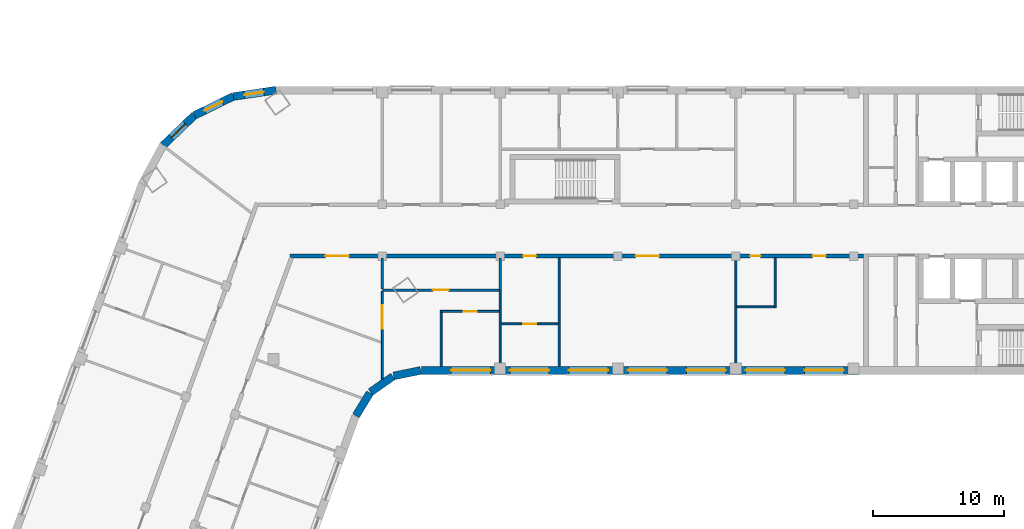
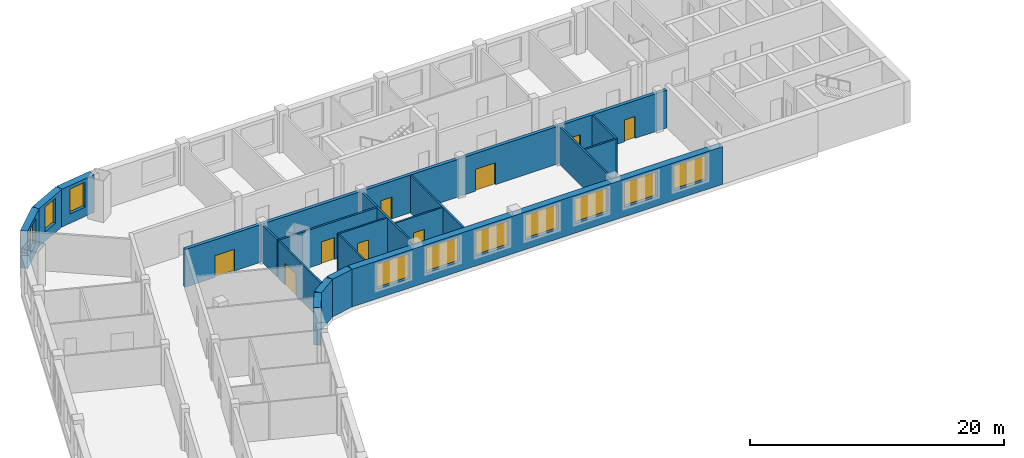
# One storey, part 4 of 10: 20 walls, 10 windows, 9 doors, 19 openings.
"""IFC4 building model written with IfcOpenShell, lengths in metres."""

from ifc_helpers import new_model, si_unit, direction, frame, frame_2d, origin, place, context, subcontext, project, spatial, rectangle, extrude, material, layer, layer_set, type_object, element, fill, save


model = new_model("IFC4")

# Units and contexts
model_context = context("Model", 3, precision=1e-05, world=origin(), true_north=direction((0.0, 1.0)))
body_context = subcontext(model_context, "Body", "Model", "MODEL_VIEW")
ifc_project = project(units=[si_unit("LENGTHUNIT", "METRE"), si_unit("AREAUNIT", "SQUARE_METRE"), si_unit("VOLUMEUNIT", "CUBIC_METRE"), si_unit("PLANEANGLEUNIT", "RADIAN"), si_unit("MASSUNIT", "GRAM", prefix="KILO")], contexts=[model_context])

# Site, building, storey
site_placement = place(None, origin())
site = spatial("IfcSite", under=ifc_project, at=site_placement, CompositionType="ELEMENT")
building_placement = place(site_placement, origin())
building = spatial("IfcBuilding", under=site, at=building_placement, Name="Skarvind Civic Tower", CompositionType="ELEMENT")
storey_placement = place(building_placement, frame((0.0, 0.0, 101.0)))
storey = spatial("IfcBuildingStorey", under=building, at=storey_placement, Name="L23", CompositionType="ELEMENT", Elevation=101.0)

# Wall
ifc_material_1 = material(Name="Acoustic gypsum board on steel studs", Category="steel")
ifc_layer_1 = layer(ifc_material_1, 0.175048828125)
ifc_layer_set_1 = layer_set([ifc_layer_1], Name="ACOUSTIC MEETING-ROOM PARTITION 175")
wall_type_1 = type_object("IfcWallType", Name="ACOUSTIC MEETING-ROOM PARTITION 175", PredefinedType="PARTITIONING", material=ifc_layer_set_1)
wall_1_placement = place(storey_placement, frame((54.25, 123.501953125, 0.0), z_axis=(0.0, 0.0, 1.0), x_axis=(0.0, 1.0, 0.0)))
element("IfcWall", 1, at=wall_1_placement, inside=storey, type_object=wall_type_1, Name="Partition 23.019", PredefinedType="PARTITIONING", context=body_context, shape_type="SweptSolid", body=[
    extrude(rectangle(XDim=2.39794921875, YDim=0.175048828125, at=frame_2d((1.198974609375, 0.0))), origin(), (0.0, 0.0, 1.0), 3.625),
])

# Wall, opening, door
wall_2_placement = place(storey_placement, frame((54.25, 123.429931640625, 0.0), z_axis=(0.0, 0.0, 1.0), x_axis=(1.0, 0.0, 0.0)))
wall_2 = element("IfcWall", 2, at=wall_2_placement, inside=storey, type_object=wall_type_1, Name="Partition 23.020", PredefinedType="PARTITIONING", context=body_context, shape_type="SweptSolid", body=[
    extrude(rectangle(XDim=8.912109375, YDim=0.175048828125, at=frame_2d((4.4560546875, 0.0))), origin(), (0.0, 0.0, 1.0), 3.625),
])
opening_1_placement = place(wall_2_placement, frame((3.865966796875, 0.0, 0.0)))
opening_1 = element("IfcOpeningElement", 3, at=opening_1_placement, cuts=wall_2, Name="Opening L23-D029", PredefinedType="OPENING", context=body_context, shape_type="SweptSolid", body=[
    extrude(rectangle(XDim=1.199951171875, YDim=2.10009765625, at=frame_2d((0.60009765625, 1.050048828125))), frame((0.0, 0.097412109375, 0.0), z_axis=(0.0, -1.0, 0.0), x_axis=(1.0, 0.0, 0.0)), (0.0, 0.0, 1.0), 0.195068359375),
])
ifc_material_2 = material(Name="Timber door leaf", Category="wood")
door_type_1 = type_object("IfcDoorType", Name="DOOR 1200X2100 DOUBLE TIMBER", OperationType="NOTDEFINED", PredefinedType="DOOR", material=ifc_material_2)
door_1_placement = place(opening_1_placement, origin())
door_1 = element("IfcDoor", 4, at=door_1_placement, inside=storey, type_object=door_type_1, Name="Door L23-D029", OperationType="DOUBLE_DOOR_SINGLE_SWING", OverallHeight=2.10009765625, OverallWidth=1.199951171875, PredefinedType="DOOR", context=body_context, shape_type="SweptSolid", body=[
    extrude(rectangle(XDim=1.199951171875, YDim=2.10009765625, at=frame_2d((0.60009765625, 1.050048828125))), frame((0.0, 0.02490234375, 0.0), z_axis=(0.0, -1.0, 0.0), x_axis=(1.0, 0.0, 0.0)), (0.0, 0.0, 1.0), 0.050048828125),
])
fill(opening_1, door_1)

# Wall
wall_3_placement = place(storey_placement, frame((63.25, 123.429931640625, 0.0), z_axis=(0.0, 0.0, 1.0), x_axis=(0.0, 1.0, 0.0)))
element("IfcWall", 5, at=wall_3_placement, inside=storey, type_object=wall_type_1, Name="Partition 23.027", PredefinedType="PARTITIONING", context=body_context, shape_type="SweptSolid", body=[
    extrude(rectangle(XDim=2.469970703125, YDim=0.175048828125, at=frame_2d((1.23486328125, 0.0))), origin(), (0.0, 0.0, 1.0), 3.625),
])

# Wall, openings, doors
ifc_material_3 = material(Name="Fire-rated gypsum board on steel studs", Category="steel")
ifc_layer_2 = layer(ifc_material_3, 0.300048828125)
ifc_layer_set_2 = layer_set([ifc_layer_2], Name="CORRIDOR WALL 300")
wall_type_2 = type_object("IfcWallType", Name="CORRIDOR WALL 300", PredefinedType="PARTITIONING", material=ifc_layer_set_2)
wall_4_placement = place(storey_placement, frame((91.0, 126.050048828125, 0.0), z_axis=(0.0, 0.0, 1.0), x_axis=(-1.0, 0.0, 0.0)))
wall_4 = element("IfcWall", 6, at=wall_4_placement, inside=storey, type_object=wall_type_2, Name="Partition 23.040", PredefinedType="PARTITIONING", context=body_context, shape_type="SweptSolid", body=[
    extrude(rectangle(XDim=43.784912109375, YDim=0.300048828125, at=frame_2d((21.892578125, 0.0))), origin(), (0.0, 0.0, 1.0), 3.625),
])
opening_2_placement = place(wall_4_placement, frame((7.85009765625, 0.0, 0.0)))
opening_2 = element("IfcOpeningElement", 7, at=opening_2_placement, cuts=wall_4, Name="Opening L23-D008", PredefinedType="OPENING", context=body_context, shape_type="SweptSolid", body=[
    extrude(rectangle(XDim=0.800048828125, YDim=2.10009765625, at=frame_2d((0.39990234375, 1.050048828125))), frame((0.0, 0.159912109375, 0.0), z_axis=(0.0, -1.0, 0.0), x_axis=(1.0, 0.0, 0.0)), (0.0, 0.0, 1.0), 0.320068359375),
])
opening_3_placement = place(wall_4_placement, frame((2.875, 0.0, 0.0)))
opening_3 = element("IfcOpeningElement", 8, at=opening_3_placement, cuts=wall_4, Name="Opening L23-D009", PredefinedType="OPENING", context=body_context, shape_type="SweptSolid", body=[
    extrude(rectangle(XDim=1.0, YDim=2.10009765625, at=frame_2d((0.5, 1.050048828125))), frame((0.0, 0.159912109375, 0.0), z_axis=(0.0, -1.0, 0.0), x_axis=(1.0, 0.0, 0.0)), (0.0, 0.0, 1.0), 0.320068359375),
])
opening_4_placement = place(wall_4_placement, frame((15.60009765625, 0.0, 0.0)))
opening_4 = element("IfcOpeningElement", 9, at=opening_4_placement, cuts=wall_4, Name="Opening L23-D010", PredefinedType="OPENING", context=body_context, shape_type="SweptSolid", body=[
    extrude(rectangle(XDim=1.800048828125, YDim=2.10009765625, at=frame_2d((0.89990234375, 1.050048828125))), frame((0.0, 0.159912109375, 0.0), z_axis=(0.0, -1.0, 0.0), x_axis=(1.0, 0.0, 0.0)), (0.0, 0.0, 1.0), 0.320068359375),
])
opening_5_placement = place(wall_4_placement, frame((25.0, 0.0, 0.0)))
opening_5 = element("IfcOpeningElement", 10, at=opening_5_placement, cuts=wall_4, Name="Opening L23-D011", PredefinedType="OPENING", context=body_context, shape_type="SweptSolid", body=[
    extrude(rectangle(XDim=1.0, YDim=2.10009765625, at=frame_2d((0.5, 1.050048828125))), frame((0.0, 0.159912109375, 0.0), z_axis=(0.0, -1.0, 0.0), x_axis=(1.0, 0.0, 0.0)), (0.0, 0.0, 1.0), 0.320068359375),
])
opening_6_placement = place(wall_4_placement, frame((39.2958984375, 0.0, 0.0)))
opening_6 = element("IfcOpeningElement", 11, at=opening_6_placement, cuts=wall_4, Name="Opening L23-D028", PredefinedType="OPENING", context=body_context, shape_type="SweptSolid", body=[
    extrude(rectangle(XDim=1.800048828125, YDim=2.10009765625, at=frame_2d((0.89990234375, 1.050048828125))), frame((0.0, 0.159912109375, 0.0), z_axis=(0.0, -1.0, 0.0), x_axis=(1.0, 0.0, 0.0)), (0.0, 0.0, 1.0), 0.320068359375),
])
ifc_material_4 = material(Name="Fire-rated timber door leaf", Category="wood")
door_type_2 = type_object("IfcDoorType", Name="FD1 1000x2100", OperationType="NOTDEFINED", PredefinedType="DOOR", material=ifc_material_4)
door_2_placement = place(opening_3_placement, origin())
door_2 = element("IfcDoor", 12, at=door_2_placement, inside=storey, type_object=door_type_2, Name="Door L23-D009", OperationType="SINGLE_SWING_LEFT", OverallHeight=2.10009765625, OverallWidth=1.0, PredefinedType="DOOR", context=body_context, shape_type="SweptSolid", body=[
    extrude(rectangle(XDim=1.0, YDim=2.10009765625, at=frame_2d((0.5, 1.050048828125))), frame((0.0, 0.02490234375, 0.0), z_axis=(0.0, -1.0, 0.0), x_axis=(1.0, 0.0, 0.0)), (0.0, 0.0, 1.0), 0.050048828125),
])
fill(opening_3, door_2)
door_3_placement = place(opening_5_placement, origin())
door_3 = element("IfcDoor", 13, at=door_3_placement, inside=storey, type_object=door_type_2, Name="Door L23-D011", OperationType="SINGLE_SWING_LEFT", OverallHeight=2.10009765625, OverallWidth=1.0, PredefinedType="DOOR", context=body_context, shape_type="SweptSolid", body=[
    extrude(rectangle(XDim=1.0, YDim=2.10009765625, at=frame_2d((0.5, 1.050048828125))), frame((0.0, 0.02490234375, 0.0), z_axis=(0.0, -1.0, 0.0), x_axis=(1.0, 0.0, 0.0)), (0.0, 0.0, 1.0), 0.050048828125),
])
fill(opening_5, door_3)
door_type_3 = type_object("IfcDoorType", Name="FD4 1800x2100", OperationType="NOTDEFINED", PredefinedType="DOOR", material=ifc_material_4)
door_4_placement = place(opening_4_placement, origin())
door_4 = element("IfcDoor", 14, at=door_4_placement, inside=storey, type_object=door_type_3, Name="Door L23-D010", OperationType="DOUBLE_DOOR_SINGLE_SWING", OverallHeight=2.10009765625, OverallWidth=1.800048828125, PredefinedType="DOOR", context=body_context, shape_type="SweptSolid", body=[
    extrude(rectangle(XDim=1.800048828125, YDim=2.10009765625, at=frame_2d((0.89990234375, 1.050048828125))), frame((0.0, 0.02490234375, 0.0), z_axis=(0.0, -1.0, 0.0), x_axis=(1.0, 0.0, 0.0)), (0.0, 0.0, 1.0), 0.050048828125),
])
fill(opening_4, door_4)
door_5_placement = place(opening_6_placement, origin())
door_5 = element("IfcDoor", 15, at=door_5_placement, inside=storey, type_object=door_type_3, Name="Door L23-D028", OperationType="DOUBLE_DOOR_SINGLE_SWING", OverallHeight=2.10009765625, OverallWidth=1.800048828125, PredefinedType="DOOR", context=body_context, shape_type="SweptSolid", body=[
    extrude(rectangle(XDim=1.800048828125, YDim=2.10009765625, at=frame_2d((0.89990234375, 1.050048828125))), frame((0.0, 0.02490234375, 0.0), z_axis=(0.0, -1.0, 0.0), x_axis=(1.0, 0.0, 0.0)), (0.0, 0.0, 1.0), 0.050048828125),
])
fill(opening_6, door_5)
door_type_4 = type_object("IfcDoorType", Name="FD5 800x2100", OperationType="NOTDEFINED", PredefinedType="DOOR", material=ifc_material_4)
door_6_placement = place(opening_2_placement, origin())
door_6 = element("IfcDoor", 16, at=door_6_placement, inside=storey, type_object=door_type_4, Name="Door L23-D008", OperationType="SINGLE_SWING_RIGHT", OverallHeight=2.10009765625, OverallWidth=0.800048828125, PredefinedType="DOOR", context=body_context, shape_type="SweptSolid", body=[
    extrude(rectangle(XDim=0.800048828125, YDim=2.10009765625, at=frame_2d((0.39990234375, 1.050048828125))), frame((0.0, 0.02490234375, 0.0), z_axis=(0.0, -1.0, 0.0), x_axis=(1.0, 0.0, 0.0)), (0.0, 0.0, 1.0), 0.050048828125),
])
fill(opening_2, door_6)

# Wall, opening, door
ifc_material_5 = material(Name="Plasterboard partition on steel studs", Category="steel")
ifc_layer_3 = layer(ifc_material_5, 0.14990234375)
ifc_layer_set_3 = layer_set([ifc_layer_3], Name="PARTITION 150")
wall_type_3 = type_object("IfcWallType", Name="PARTITION 150", PredefinedType="PARTITIONING", material=ifc_layer_set_3)
wall_5_placement = place(storey_placement, frame((54.25, 116.636962890625, 0.0), z_axis=(0.0, 0.0, 1.0), x_axis=(0.0, 1.0, 0.0)))
wall_5 = element("IfcWall", 17, at=wall_5_placement, inside=storey, type_object=wall_type_3, Name="Partition 23.017", PredefinedType="PARTITIONING", context=body_context, shape_type="SweptSolid", body=[
    extrude(rectangle(XDim=6.708984375, YDim=0.14990234375, at=frame_2d((3.3544921875, 0.0))), origin(), (0.0, 0.0, 1.0), 3.625),
])
opening_7_placement = place(wall_5_placement, frame((3.849609375, 0.0, 0.0)))
opening_7 = element("IfcOpeningElement", 18, at=opening_7_placement, cuts=wall_5, Name="Opening L23-D014", PredefinedType="OPENING", context=body_context, shape_type="SweptSolid", body=[
    extrude(rectangle(XDim=1.800048828125, YDim=2.10009765625, at=frame_2d((0.89990234375, 1.050048828125))), frame((0.0, 0.0849609375, 0.0), z_axis=(0.0, -1.0, 0.0), x_axis=(1.0, 0.0, 0.0)), (0.0, 0.0, 1.0), 0.169921875),
])
door_type_5 = type_object("IfcDoorType", Name="D4 1800x2100", OperationType="NOTDEFINED", PredefinedType="DOOR", material=ifc_material_2)
door_7_placement = place(opening_7_placement, origin())
door_7 = element("IfcDoor", 19, at=door_7_placement, inside=storey, type_object=door_type_5, Name="Door L23-D014", OperationType="DOUBLE_DOOR_SINGLE_SWING", OverallHeight=2.10009765625, OverallWidth=1.800048828125, PredefinedType="DOOR", context=body_context, shape_type="SweptSolid", body=[
    extrude(rectangle(XDim=1.800048828125, YDim=2.10009765625, at=frame_2d((0.89990234375, 1.050048828125))), frame((0.0, 0.02490234375, 0.0), z_axis=(0.0, -1.0, 0.0), x_axis=(1.0, 0.0, 0.0)), (0.0, 0.0, 1.0), 0.050048828125),
])
fill(opening_7, door_7)

# Walls
wall_6_placement = place(storey_placement, frame((58.75, 117.60009765625, 0.0), z_axis=(0.0, 0.0, 1.0), x_axis=(0.0, 1.0, 0.0)))
element("IfcWall", 20, at=wall_6_placement, inside=storey, type_object=wall_type_3, Name="Partition 23.022", PredefinedType="PARTITIONING", context=body_context, shape_type="SweptSolid", body=[
    extrude(rectangle(XDim=4.125, YDim=0.14990234375, at=frame_2d((2.0625, 0.0))), origin(), (0.0, 0.0, 1.0), 3.625),
])
wall_7_placement = place(storey_placement, frame((63.25, 117.60009765625, 0.0), z_axis=(0.0, 0.0, 1.0), x_axis=(0.0, 1.0, 0.0)))
element("IfcWall", 21, at=wall_7_placement, inside=storey, type_object=wall_type_3, Name="Partition 23.024", PredefinedType="PARTITIONING", context=body_context, shape_type="SweptSolid", body=[
    extrude(rectangle(XDim=5.829833984375, YDim=0.14990234375, at=frame_2d((2.9150390625, 0.0))), origin(), (0.0, 0.0, 1.0), 3.625),
])

# Wall, opening, door
wall_8_placement = place(storey_placement, frame((63.324951171875, 120.85009765625, 0.0), z_axis=(0.0, 0.0, 1.0), x_axis=(1.0, 0.0, 0.0)))
wall_8 = element("IfcWall", 22, at=wall_8_placement, inside=storey, type_object=wall_type_3, Name="Partition 23.025", PredefinedType="PARTITIONING", context=body_context, shape_type="SweptSolid", body=[
    extrude(rectangle(XDim=4.35009765625, YDim=0.14990234375, at=frame_2d((2.175048828125, 0.0))), origin(), (0.0, 0.0, 1.0), 3.625),
])
opening_8_placement = place(wall_8_placement, frame((1.675048828125, 0.0, 0.0)))
opening_8 = element("IfcOpeningElement", 23, at=opening_8_placement, cuts=wall_8, Name="Opening L23-D013", PredefinedType="OPENING", context=body_context, shape_type="SweptSolid", body=[
    extrude(rectangle(XDim=1.0, YDim=2.10009765625, at=frame_2d((0.5, 1.050048828125))), frame((0.0, 0.0849609375, 0.0), z_axis=(0.0, -1.0, 0.0), x_axis=(1.0, 0.0, 0.0)), (0.0, 0.0, 1.0), 0.169921875),
])
door_type_6 = type_object("IfcDoorType", Name="D1 1000x2100", OperationType="NOTDEFINED", PredefinedType="DOOR", material=ifc_material_2)
door_8_placement = place(opening_8_placement, origin())
door_8 = element("IfcDoor", 24, at=door_8_placement, inside=storey, type_object=door_type_6, Name="Door L23-D013", OperationType="SINGLE_SWING_LEFT", OverallHeight=2.10009765625, OverallWidth=1.0, PredefinedType="DOOR", context=body_context, shape_type="SweptSolid", body=[
    extrude(rectangle(XDim=1.0, YDim=2.10009765625, at=frame_2d((0.5, 1.050048828125))), frame((0.0, 0.02490234375, 0.0), z_axis=(0.0, -1.0, 0.0), x_axis=(1.0, 0.0, 0.0)), (0.0, 0.0, 1.0), 0.050048828125),
])
fill(opening_8, door_8)

wall_9_placement = place(storey_placement, frame((58.675048828125, 121.800048828125, 0.0), z_axis=(0.0, 0.0, 1.0), x_axis=(1.0, 0.0, 0.0)))
wall_9 = element("IfcWall", 25, at=wall_9_placement, inside=storey, type_object=wall_type_3, Name="Partition 23.026", PredefinedType="PARTITIONING", context=body_context, shape_type="SweptSolid", body=[
    extrude(rectangle(XDim=4.5, YDim=0.14990234375, at=frame_2d((2.25, 0.0))), origin(), (0.0, 0.0, 1.0), 3.625),
])
opening_9_placement = place(wall_9_placement, frame((1.797607421875, 0.0, 0.0)))
opening_9 = element("IfcOpeningElement", 26, at=opening_9_placement, cuts=wall_9, Name="Opening L23-D012", PredefinedType="OPENING", context=body_context, shape_type="SweptSolid", body=[
    extrude(rectangle(XDim=1.0, YDim=2.10009765625, at=frame_2d((0.5, 1.050048828125))), frame((0.0, 0.0849609375, 0.0), z_axis=(0.0, -1.0, 0.0), x_axis=(1.0, 0.0, 0.0)), (0.0, 0.0, 1.0), 0.169921875),
])
door_9_placement = place(opening_9_placement, origin())
door_9 = element("IfcDoor", 27, at=door_9_placement, inside=storey, type_object=door_type_6, Name="Door L23-D012", OperationType="SINGLE_SWING_LEFT", OverallHeight=2.10009765625, OverallWidth=1.0, PredefinedType="DOOR", context=body_context, shape_type="SweptSolid", body=[
    extrude(rectangle(XDim=1.0, YDim=2.10009765625, at=frame_2d((0.5, 1.050048828125))), frame((0.0, 0.02490234375, 0.0), z_axis=(0.0, -1.0, 0.0), x_axis=(1.0, 0.0, 0.0)), (0.0, 0.0, 1.0), 0.050048828125),
])
fill(opening_9, door_9)

# Walls
for number, where, z_axis, x_axis, name in (
    (28, (67.75, 117.60009765625, 0.0), (0.0, 0.0, 1.0), (0.0, 1.0, 0.0), "Partition 23.030"),
    (29, (81.25, 117.60009765625, 0.0), (0.0, 0.0, 1.0), (0.0, 1.0, 0.0), "Partition 23.035"),
):
    element("IfcWall", number, at=place(storey_placement, frame(where, z_axis=z_axis, x_axis=x_axis)), inside=storey, type_object=wall_type_3, Name=name, PredefinedType="PARTITIONING", context=body_context, shape_type="SweptSolid", body=[
        extrude(rectangle(XDim=8.2998046875, YDim=0.14990234375, at=frame_2d((4.14990234375, 0.0))), origin(), (0.0, 0.0, 1.0), 3.625),
    ])
wall_10_placement = place(storey_placement, frame((84.175048828125, 122.14990234375, 0.0), z_axis=(0.0, 0.0, 1.0), x_axis=(-1.0, 0.0, 0.0)))
element("IfcWall", 30, at=wall_10_placement, inside=storey, type_object=wall_type_3, Name="Partition 23.037", PredefinedType="PARTITIONING", context=body_context, shape_type="SweptSolid", body=[
    extrude(rectangle(XDim=2.85009765625, YDim=0.14990234375, at=frame_2d((1.425048828125, 0.0))), origin(), (0.0, 0.0, 1.0), 3.625),
])
wall_11_placement = place(storey_placement, frame((84.25, 125.89990234375, 0.0), z_axis=(0.0, 0.0, 1.0), x_axis=(0.0, -1.0, 0.0)))
element("IfcWall", 31, at=wall_11_placement, inside=storey, type_object=wall_type_3, Name="Partition 23.038", PredefinedType="PARTITIONING", context=body_context, shape_type="SweptSolid", body=[
    extrude(rectangle(XDim=3.824951171875, YDim=0.14990234375, at=frame_2d((1.91259765625, 0.0))), origin(), (0.0, 0.0, 1.0), 3.625),
])
ifc_material_6 = material(Name="Limestone masonry cladding on insulated backing", Category="masonry")
ifc_layer_4 = layer(ifc_material_6, 0.60009765625)
ifc_layer_set_4 = layer_set([ifc_layer_4], Name="WX1 STONE FACADE WALL 600")
wall_type_4 = type_object("IfcWallType", Name="WX1 STONE FACADE WALL 600", PredefinedType="SOLIDWALL", material=ifc_layer_set_4)
wall_12_placement = place(storey_placement, frame((53.30517578125, 115.578369140625, 0.0), z_axis=(0.0, 0.0, 1.0), x_axis=(-0.522402266438, -0.852699168535, 0.0)))
element("IfcWall", 32, at=wall_12_placement, inside=storey, type_object=wall_type_4, Name="STONE FACADE WALL", PredefinedType="SOLIDWALL", context=body_context, shape_type="SweptSolid", body=[
    extrude(rectangle(XDim=2.042236328125, YDim=0.60009765625, at=frame_2d((1.02099609375, 0.0))), origin(), (0.0, 0.0, 1.0), 3.625),
])
for number, where, z_axis, x_axis, name in (
    (33, (55.061767578125, 116.8388671875, 0.0), (0.0, 0.0, 1.0), (-0.819122269495, -0.573618956815, 0.0), "STONE FACADE WALL"),
    (34, (57.17529296875, 117.2939453125, 0.0), (0.0, 0.0, 1.0), (-0.97996099083, -0.19918949885, 0.0), "STONE FACADE WALL"),
):
    element("IfcWall", number, at=place(storey_placement, frame(where, z_axis=z_axis, x_axis=x_axis)), inside=storey, type_object=wall_type_4, Name=name, PredefinedType="SOLIDWALL", context=body_context, shape_type="SweptSolid", body=[
        extrude(rectangle(XDim=2.09228515625, YDim=0.60009765625, at=frame_2d((1.046142578125, 0.0))), origin(), (0.0, 0.0, 1.0), 3.625),
    ])

# Wall, openings, windows
wall_13_placement = place(storey_placement, frame((90.97998046875, 117.300048828125, 0.0), z_axis=(0.0, 0.0, 1.0), x_axis=(-1.0, 0.0, 0.0)))
wall_13 = element("IfcWall", 35, at=wall_13_placement, inside=storey, type_object=wall_type_4, Name="STONE FACADE WALL", PredefinedType="SOLIDWALL", context=body_context, shape_type="SweptSolid", body=[
    extrude(rectangle(XDim=33.744873046875, YDim=0.60009765625, at=frame_2d((16.87255859375, 0.0))), origin(), (0.0, 0.0, 1.0), 3.625),
])
opening_10_placement = place(wall_13_placement, frame((1.47998046875, 0.0, 0.89990234375)))
opening_10 = element("IfcOpeningElement", 36, at=opening_10_placement, cuts=wall_13, Name="Opening WN1", PredefinedType="OPENING", context=body_context, shape_type="SweptSolid", body=[
    extrude(rectangle(XDim=3.0, YDim=2.39990234375, at=frame_2d((1.5, 1.199951171875))), frame((0.0, 0.31005859375, 0.0), z_axis=(0.0, -1.0, 0.0), x_axis=(1.0, 0.0, 0.0)), (0.0, 0.0, 1.0), 0.6201171875),
])
opening_11_placement = place(wall_13_placement, frame((5.97998046875, 0.0, 0.89990234375)))
opening_11 = element("IfcOpeningElement", 37, at=opening_11_placement, cuts=wall_13, Name="Opening WN1", PredefinedType="OPENING", context=body_context, shape_type="SweptSolid", body=[
    extrude(rectangle(XDim=3.0, YDim=2.39990234375, at=frame_2d((1.5, 1.199951171875))), frame((0.0, 0.31005859375, 0.0), z_axis=(0.0, -1.0, 0.0), x_axis=(1.0, 0.0, 0.0)), (0.0, 0.0, 1.0), 0.6201171875),
])
opening_12_placement = place(wall_13_placement, frame((10.47998046875, 0.0, 0.89990234375)))
opening_12 = element("IfcOpeningElement", 38, at=opening_12_placement, cuts=wall_13, Name="Opening WN1", PredefinedType="OPENING", context=body_context, shape_type="SweptSolid", body=[
    extrude(rectangle(XDim=3.0, YDim=2.39990234375, at=frame_2d((1.5, 1.199951171875))), frame((0.0, 0.31005859375, 0.0), z_axis=(0.0, -1.0, 0.0), x_axis=(1.0, 0.0, 0.0)), (0.0, 0.0, 1.0), 0.6201171875),
])
opening_13_placement = place(wall_13_placement, frame((14.97998046875, 0.0, 0.89990234375)))
opening_13 = element("IfcOpeningElement", 39, at=opening_13_placement, cuts=wall_13, Name="Opening WN1", PredefinedType="OPENING", context=body_context, shape_type="SweptSolid", body=[
    extrude(rectangle(XDim=3.0, YDim=2.39990234375, at=frame_2d((1.5, 1.199951171875))), frame((0.0, 0.31005859375, 0.0), z_axis=(0.0, -1.0, 0.0), x_axis=(1.0, 0.0, 0.0)), (0.0, 0.0, 1.0), 0.6201171875),
])
opening_14_placement = place(wall_13_placement, frame((19.47998046875, 0.0, 0.89990234375)))
opening_14 = element("IfcOpeningElement", 40, at=opening_14_placement, cuts=wall_13, Name="Opening WN1", PredefinedType="OPENING", context=body_context, shape_type="SweptSolid", body=[
    extrude(rectangle(XDim=3.0, YDim=2.39990234375, at=frame_2d((1.5, 1.199951171875))), frame((0.0, 0.31005859375, 0.0), z_axis=(0.0, -1.0, 0.0), x_axis=(1.0, 0.0, 0.0)), (0.0, 0.0, 1.0), 0.6201171875),
])
opening_15_placement = place(wall_13_placement, frame((23.97998046875, 0.0, 0.89990234375)))
opening_15 = element("IfcOpeningElement", 41, at=opening_15_placement, cuts=wall_13, Name="Opening WN1", PredefinedType="OPENING", context=body_context, shape_type="SweptSolid", body=[
    extrude(rectangle(XDim=3.0, YDim=2.39990234375, at=frame_2d((1.5, 1.199951171875))), frame((0.0, 0.31005859375, 0.0), z_axis=(0.0, -1.0, 0.0), x_axis=(1.0, 0.0, 0.0)), (0.0, 0.0, 1.0), 0.6201171875),
])
opening_16_placement = place(wall_13_placement, frame((28.47998046875, 0.0, 0.89990234375)))
opening_16 = element("IfcOpeningElement", 42, at=opening_16_placement, cuts=wall_13, Name="Opening WN1", PredefinedType="OPENING", context=body_context, shape_type="SweptSolid", body=[
    extrude(rectangle(XDim=3.0, YDim=2.39990234375, at=frame_2d((1.5, 1.199951171875))), frame((0.0, 0.31005859375, 0.0), z_axis=(0.0, -1.0, 0.0), x_axis=(1.0, 0.0, 0.0)), (0.0, 0.0, 1.0), 0.6201171875),
])
ifc_material_7 = material(Name="Timber frame, double glazing, timber-lined reveal", Category="wood")
window_type_1 = type_object("IfcWindowType", Name="WN1 PUNCHED STONE WINDOW 3000 x 2400", PartitioningType="SINGLE_PANEL", PredefinedType="WINDOW", material=ifc_material_7)
window_1_placement = place(opening_10_placement, origin())
window_1 = element("IfcWindow", 43, at=window_1_placement, inside=storey, type_object=window_type_1, Name="WN1 WINDOW", OverallHeight=2.39990234375, OverallWidth=3.0, PartitioningType="SINGLE_PANEL", PredefinedType="WINDOW", context=body_context, shape_type="SweptSolid", body=[
    extrude(rectangle(XDim=3.0, YDim=2.39990234375, at=frame_2d((1.5, 1.199951171875))), frame((0.0, 0.030029296875, 0.0), z_axis=(0.0, -1.0, 0.0), x_axis=(1.0, 0.0, 0.0)), (0.0, 0.0, 1.0), 0.06005859375),
])
fill(opening_10, window_1)
window_2_placement = place(opening_11_placement, origin())
window_2 = element("IfcWindow", 44, at=window_2_placement, inside=storey, type_object=window_type_1, Name="WN1 WINDOW", OverallHeight=2.39990234375, OverallWidth=3.0, PartitioningType="SINGLE_PANEL", PredefinedType="WINDOW", context=body_context, shape_type="SweptSolid", body=[
    extrude(rectangle(XDim=3.0, YDim=2.39990234375, at=frame_2d((1.5, 1.199951171875))), frame((0.0, 0.030029296875, 0.0), z_axis=(0.0, -1.0, 0.0), x_axis=(1.0, 0.0, 0.0)), (0.0, 0.0, 1.0), 0.06005859375),
])
fill(opening_11, window_2)
window_3_placement = place(opening_12_placement, origin())
window_3 = element("IfcWindow", 45, at=window_3_placement, inside=storey, type_object=window_type_1, Name="WN1 WINDOW", OverallHeight=2.39990234375, OverallWidth=3.0, PartitioningType="SINGLE_PANEL", PredefinedType="WINDOW", context=body_context, shape_type="SweptSolid", body=[
    extrude(rectangle(XDim=3.0, YDim=2.39990234375, at=frame_2d((1.5, 1.199951171875))), frame((0.0, 0.030029296875, 0.0), z_axis=(0.0, -1.0, 0.0), x_axis=(1.0, 0.0, 0.0)), (0.0, 0.0, 1.0), 0.06005859375),
])
fill(opening_12, window_3)
window_4_placement = place(opening_13_placement, origin())
window_4 = element("IfcWindow", 46, at=window_4_placement, inside=storey, type_object=window_type_1, Name="WN1 WINDOW", OverallHeight=2.39990234375, OverallWidth=3.0, PartitioningType="SINGLE_PANEL", PredefinedType="WINDOW", context=body_context, shape_type="SweptSolid", body=[
    extrude(rectangle(XDim=3.0, YDim=2.39990234375, at=frame_2d((1.5, 1.199951171875))), frame((0.0, 0.030029296875, 0.0), z_axis=(0.0, -1.0, 0.0), x_axis=(1.0, 0.0, 0.0)), (0.0, 0.0, 1.0), 0.06005859375),
])
fill(opening_13, window_4)
window_5_placement = place(opening_14_placement, origin())
window_5 = element("IfcWindow", 47, at=window_5_placement, inside=storey, type_object=window_type_1, Name="WN1 WINDOW", OverallHeight=2.39990234375, OverallWidth=3.0, PartitioningType="SINGLE_PANEL", PredefinedType="WINDOW", context=body_context, shape_type="SweptSolid", body=[
    extrude(rectangle(XDim=3.0, YDim=2.39990234375, at=frame_2d((1.5, 1.199951171875))), frame((0.0, 0.030029296875, 0.0), z_axis=(0.0, -1.0, 0.0), x_axis=(1.0, 0.0, 0.0)), (0.0, 0.0, 1.0), 0.06005859375),
])
fill(opening_14, window_5)
window_6_placement = place(opening_15_placement, origin())
window_6 = element("IfcWindow", 48, at=window_6_placement, inside=storey, type_object=window_type_1, Name="WN1 WINDOW", OverallHeight=2.39990234375, OverallWidth=3.0, PartitioningType="SINGLE_PANEL", PredefinedType="WINDOW", context=body_context, shape_type="SweptSolid", body=[
    extrude(rectangle(XDim=3.0, YDim=2.39990234375, at=frame_2d((1.5, 1.199951171875))), frame((0.0, 0.030029296875, 0.0), z_axis=(0.0, -1.0, 0.0), x_axis=(1.0, 0.0, 0.0)), (0.0, 0.0, 1.0), 0.06005859375),
])
fill(opening_15, window_6)
window_7_placement = place(opening_16_placement, origin())
window_7 = element("IfcWindow", 49, at=window_7_placement, inside=storey, type_object=window_type_1, Name="WN1 WINDOW", OverallHeight=2.39990234375, OverallWidth=3.0, PartitioningType="SINGLE_PANEL", PredefinedType="WINDOW", context=body_context, shape_type="SweptSolid", body=[
    extrude(rectangle(XDim=3.0, YDim=2.39990234375, at=frame_2d((1.5, 1.199951171875))), frame((0.0, 0.030029296875, 0.0), z_axis=(0.0, -1.0, 0.0), x_axis=(1.0, 0.0, 0.0)), (0.0, 0.0, 1.0), 0.06005859375),
])
fill(opening_16, window_7)

# Wall, opening, window
wall_14_placement = place(storey_placement, frame((42.872802734375, 138.21728515625, 0.0), z_axis=(0.0, 0.0, 1.0), x_axis=(0.989110792192, 0.14717282619, 0.0)))
wall_14 = element("IfcWall", 50, at=wall_14_placement, inside=storey, type_object=wall_type_4, Name="STONE FACADE WALL", PredefinedType="SOLIDWALL", context=body_context, shape_type="SweptSolid", body=[
    extrude(rectangle(XDim=3.302734375, YDim=0.60009765625, at=frame_2d((1.6513671875, 0.0))), origin(), (0.0, 0.0, 1.0), 3.625),
])
opening_17_placement = place(wall_14_placement, frame((0.8564453125, 0.0, 0.89990234375)))
opening_17 = element("IfcOpeningElement", 51, at=opening_17_placement, cuts=wall_14, Name="Opening WN8", PredefinedType="OPENING", context=body_context, shape_type="SweptSolid", body=[
    extrude(rectangle(XDim=1.5, YDim=2.39990234375, at=frame_2d((0.75, 1.199951171875))), frame((0.0, 0.31005859375, 0.0), z_axis=(0.0, -1.0, 0.0), x_axis=(1.0, 0.0, 0.0)), (0.0, 0.0, 1.0), 0.6201171875),
])
window_type_2 = type_object("IfcWindowType", Name="WN8 ARC BAY WINDOW 1500 x 2400", PartitioningType="SINGLE_PANEL", PredefinedType="WINDOW", material=ifc_material_7)
window_8_placement = place(opening_17_placement, origin())
window_8 = element("IfcWindow", 52, at=window_8_placement, inside=storey, type_object=window_type_2, Name="WN8 WINDOW", OverallHeight=2.39990234375, OverallWidth=1.5, PartitioningType="SINGLE_PANEL", PredefinedType="WINDOW", context=body_context, shape_type="SweptSolid", body=[
    extrude(rectangle(XDim=1.5, YDim=2.39990234375, at=frame_2d((0.75, 1.199951171875))), frame((0.0, 0.030029296875, 0.0), z_axis=(0.0, -1.0, 0.0), x_axis=(1.0, 0.0, 0.0)), (0.0, 0.0, 1.0), 0.06005859375),
])
fill(opening_17, window_8)

wall_15_placement = place(storey_placement, frame((39.9072265625, 136.77587890625, 0.0), z_axis=(0.0, 0.0, 1.0), x_axis=(0.89761231107, 0.440785819889, 0.0)))
wall_15 = element("IfcWall", 53, at=wall_15_placement, inside=storey, type_object=wall_type_4, Name="STONE FACADE WALL", PredefinedType="SOLIDWALL", context=body_context, shape_type="SweptSolid", body=[
    extrude(rectangle(XDim=3.302734375, YDim=0.60009765625, at=frame_2d((1.6513671875, 0.0))), origin(), (0.0, 0.0, 1.0), 3.625),
])
opening_18_placement = place(wall_15_placement, frame((0.8564453125, 0.0, 0.89990234375)))
opening_18 = element("IfcOpeningElement", 54, at=opening_18_placement, cuts=wall_15, Name="Opening WN8", PredefinedType="OPENING", context=body_context, shape_type="SweptSolid", body=[
    extrude(rectangle(XDim=1.5, YDim=2.39990234375, at=frame_2d((0.75, 1.199951171875))), frame((0.0, 0.31005859375, 0.0), z_axis=(0.0, -1.0, 0.0), x_axis=(1.0, 0.0, 0.0)), (0.0, 0.0, 1.0), 0.6201171875),
])
window_9_placement = place(opening_18_placement, origin())
window_9 = element("IfcWindow", 55, at=window_9_placement, inside=storey, type_object=window_type_2, Name="WN8 WINDOW", OverallHeight=2.39990234375, OverallWidth=1.5, PartitioningType="SINGLE_PANEL", PredefinedType="WINDOW", context=body_context, shape_type="SweptSolid", body=[
    extrude(rectangle(XDim=1.5, YDim=2.39990234375, at=frame_2d((0.75, 1.199951171875))), frame((0.0, 0.030029296875, 0.0), z_axis=(0.0, -1.0, 0.0), x_axis=(1.0, 0.0, 0.0)), (0.0, 0.0, 1.0), 0.06005859375),
])
fill(opening_18, window_9)

wall_16_placement = place(storey_placement, frame((37.520263671875, 134.501220703125, 0.0), z_axis=(0.0, 0.0, 1.0), x_axis=(0.72115684486, 0.692771827596, 0.0)))
wall_16 = element("IfcWall", 56, at=wall_16_placement, inside=storey, type_object=wall_type_4, Name="STONE FACADE WALL", PredefinedType="SOLIDWALL", context=body_context, shape_type="SweptSolid", body=[
    extrude(rectangle(XDim=3.302734375, YDim=0.60009765625, at=frame_2d((1.6513671875, 0.0))), origin(), (0.0, 0.0, 1.0), 3.625),
])
opening_19_placement = place(wall_16_placement, frame((0.8564453125, 0.0, 0.89990234375)))
opening_19 = element("IfcOpeningElement", 57, at=opening_19_placement, cuts=wall_16, Name="Opening WN8", PredefinedType="OPENING", context=body_context, shape_type="SweptSolid", body=[
    extrude(rectangle(XDim=1.5, YDim=2.39990234375, at=frame_2d((0.75, 1.199951171875))), frame((0.0, 0.31005859375, 0.0), z_axis=(0.0, -1.0, 0.0), x_axis=(1.0, 0.0, 0.0)), (0.0, 0.0, 1.0), 0.6201171875),
])
window_10_placement = place(opening_19_placement, origin())
window_10 = element("IfcWindow", 58, at=window_10_placement, inside=storey, type_object=window_type_2, Name="WN8 WINDOW", OverallHeight=2.39990234375, OverallWidth=1.5, PartitioningType="SINGLE_PANEL", PredefinedType="WINDOW", context=body_context, shape_type="SweptSolid", body=[
    extrude(rectangle(XDim=1.5, YDim=2.39990234375, at=frame_2d((0.75, 1.199951171875))), frame((0.0, 0.030029296875, 0.0), z_axis=(0.0, -1.0, 0.0), x_axis=(1.0, 0.0, 0.0)), (0.0, 0.0, 1.0), 0.06005859375),
])
fill(opening_19, window_10)

save(model, "model.ifc")
